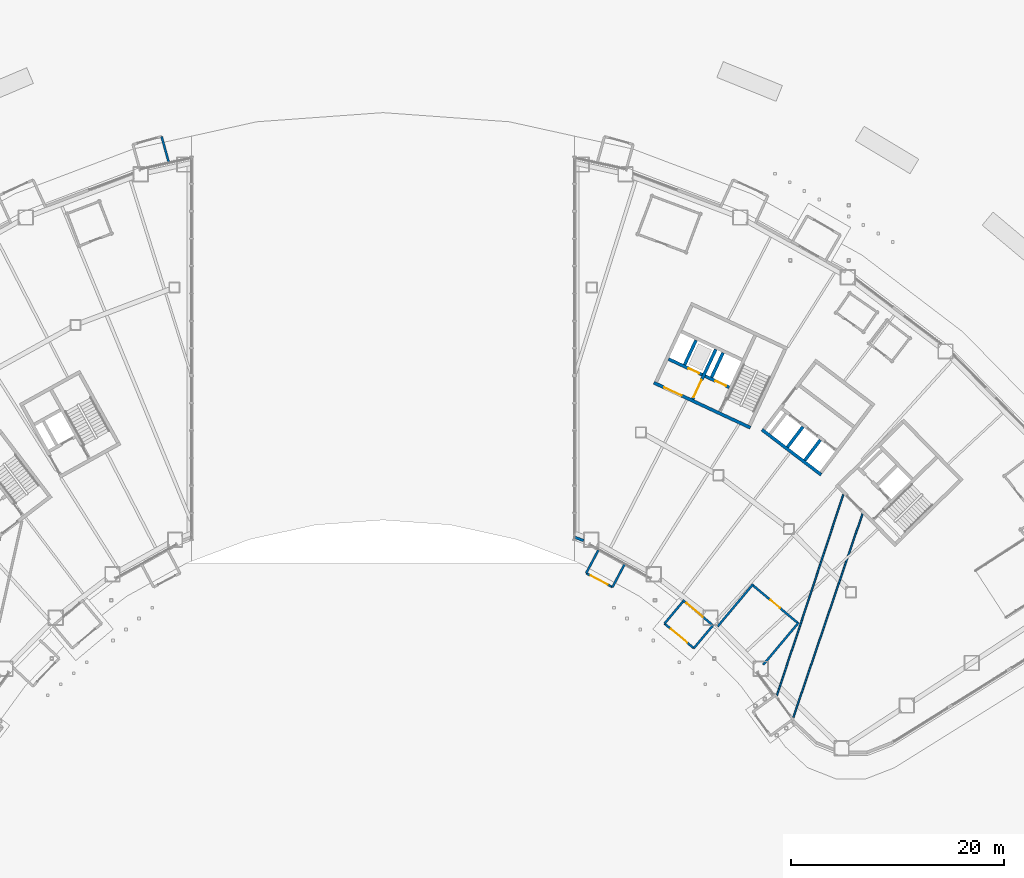
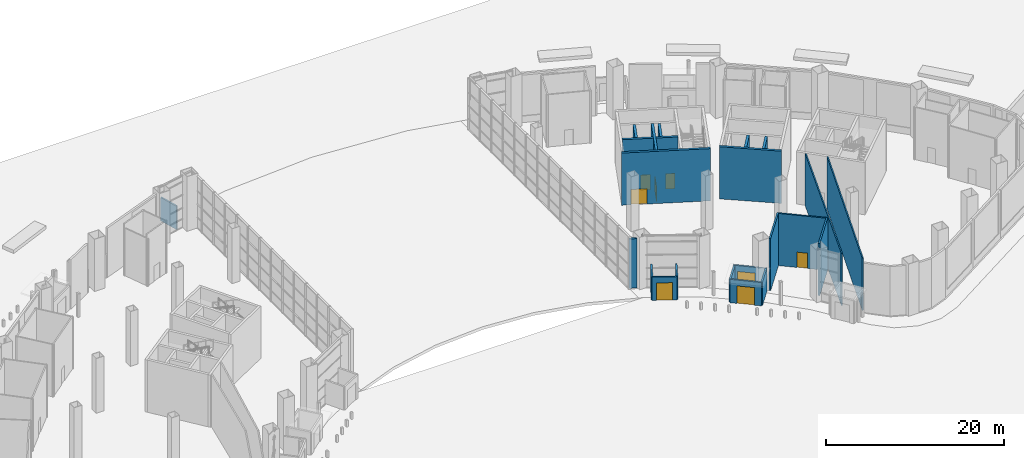
# One storey, part 33 of 45: 23 walls, 8 doors, 8 openings.
"""IFC4 building model written with IfcOpenShell, lengths in metres."""

from ifc_helpers import new_model, si_unit, direction, frame, frame_2d, origin, place, context, subcontext, project, spatial, rectangle, extrude, material, layer, layer_set, type_object, element, fill, save


model = new_model("IFC4")

# Units and contexts
model_context = context("Model", 3, precision=1e-05, world=origin(), true_north=direction((0.0, 1.0)))
body_context = subcontext(model_context, "Body", "Model", "MODEL_VIEW")
ifc_project = project(units=[si_unit("LENGTHUNIT", "METRE"), si_unit("AREAUNIT", "SQUARE_METRE"), si_unit("VOLUMEUNIT", "CUBIC_METRE"), si_unit("PLANEANGLEUNIT", "RADIAN"), si_unit("MASSUNIT", "GRAM", prefix="KILO")], contexts=[model_context])

# Site, building, storey
site_placement = place(None, origin())
site = spatial("IfcSite", under=ifc_project, at=site_placement, CompositionType="ELEMENT")
building_placement = place(site_placement, origin())
building = spatial("IfcBuilding", under=site, at=building_placement, Name="Tuul Gate Civic Tower", CompositionType="ELEMENT")
storey_placement = place(building_placement, origin())
storey = spatial("IfcBuildingStorey", under=building, at=storey_placement, Name="Level 00", CompositionType="ELEMENT", Elevation=0.0)

# Wall, opening, door
ifc_material_1 = material(Name="Concrete C50/60", Category="concrete")
ifc_layer_1 = layer(ifc_material_1, 0.300048828125)
ifc_layer_set_1 = layer_set([ifc_layer_1], Name="Concrete C50/60")
wall_type_1 = type_object("IfcWallType", Name="Core wall C50/60", PredefinedType="SHEAR", material=ifc_layer_set_1)
wall_1_placement = place(storey_placement, frame((34.5283203125, -7.25, 0.0), z_axis=(0.0, 0.0, 1.0), x_axis=(-0.906310338845, 0.422612789327, 0.0)))
wall_1 = element("IfcWall", 1, at=wall_1_placement, inside=storey, type_object=wall_type_1, Name="Core wall", PredefinedType="SHEAR", context=body_context, shape_type="SweptSolid", body=[
    extrude(rectangle(XDim=9.999755859375, YDim=0.300048828125, at=frame_2d((5.0, 0.0))), origin(), (0.0, 0.0, 1.0), 7.14990234375),
])
opening_1_placement = place(wall_1_placement, frame((7.125, 0.0, 0.0)))
opening_1 = element("IfcOpeningElement", 2, at=opening_1_placement, cuts=wall_1, Name="Opening LB-E3-LOBBY-1", PredefinedType="OPENING", context=body_context, shape_type="SweptSolid", body=[
    extrude(rectangle(XDim=1.800048828125, YDim=2.10009765625, at=frame_2d((0.89990234375, 1.050048828125))), frame((0.0, 0.16015625, 0.0), z_axis=(0.0, -1.0, 0.0), x_axis=(1.0, 0.0, 0.0)), (0.0, 0.0, 1.0), 0.320068359375),
])
ifc_material_2 = material(Name="Steel", Category="steel")
door_type_1 = type_object("IfcDoorType", Name="Lobby door", OperationType="DOUBLE_DOOR_SINGLE_SWING", PredefinedType="DOOR", material=ifc_material_2)
door_1_placement = place(opening_1_placement, origin())
door_1 = element("IfcDoor", 3, at=door_1_placement, inside=storey, type_object=door_type_1, Name="Lobby door E3-LOBBY", OperationType="DOUBLE_DOOR_SINGLE_SWING", OverallHeight=2.10009765625, OverallWidth=1.800048828125, PredefinedType="DOOR", context=body_context, shape_type="SweptSolid", body=[
    extrude(rectangle(XDim=1.800048828125, YDim=2.10009765625, at=frame_2d((0.89990234375, 1.050048828125))), frame((0.0, 0.02490234375, 0.0), z_axis=(0.0, -1.0, 0.0), x_axis=(1.0, 0.0, 0.0)), (0.0, 0.0, 1.0), 0.050048828125),
])
fill(opening_1, door_1)

wall_2_placement = place(storey_placement, frame((32.545654296875, -3.456787109375, 0.0), z_axis=(0.0, 0.0, 1.0), x_axis=(-0.906300357825, 0.42263419337, 0.0)))
wall_2 = element("IfcWall", 4, at=wall_2_placement, inside=storey, type_object=wall_type_1, Name="Core wall", PredefinedType="SHEAR", context=body_context, shape_type="SweptSolid", body=[
    extrude(rectangle(XDim=2.500244140625, YDim=0.300048828125, at=frame_2d((1.25, 0.0))), origin(), (0.0, 0.0, 1.0), 7.14990234375),
])
opening_2_placement = place(wall_2_placement, frame((0.324951171875, 0.0, 0.0)))
opening_2 = element("IfcOpeningElement", 5, at=opening_2_placement, cuts=wall_2, Name="Opening LD-FF-2", PredefinedType="OPENING", context=body_context, shape_type="SweptSolid", body=[
    extrude(rectangle(XDim=1.10009765625, YDim=2.10009765625, at=frame_2d((0.550048828125, 1.050048828125))), frame((0.0, 0.16015625, 0.0), z_axis=(0.0, -1.0, 0.0), x_axis=(1.0, 0.0, 0.0)), (0.0, 0.0, 1.0), 0.320068359375),
])
ifc_material_3 = material(Name="Stainless steel", Category="steel")
door_type_2 = type_object("IfcDoorType", Name="Landing door", OperationType="DOUBLE_DOOR_SLIDING", PredefinedType="DOOR", material=ifc_material_3)
door_2_placement = place(opening_2_placement, origin())
door_2 = element("IfcDoor", 6, at=door_2_placement, inside=storey, type_object=door_type_2, Name="Fire-fighting lift FF-2 landing door", OperationType="DOUBLE_DOOR_SLIDING", OverallHeight=2.10009765625, OverallWidth=1.10009765625, PredefinedType="DOOR", context=body_context, shape_type="SweptSolid", body=[
    extrude(rectangle(XDim=1.10009765625, YDim=2.10009765625, at=frame_2d((0.550048828125, 1.050048828125))), frame((0.0, 0.02490234375, 0.0), z_axis=(0.0, -1.0, 0.0), x_axis=(1.0, 0.0, 0.0)), (0.0, 0.0, 1.0), 0.050048828125),
])
fill(opening_2, door_2)

wall_3_placement = place(storey_placement, frame((30.0078125, -2.2734375, 0.0), z_axis=(0.0, 0.0, 1.0), x_axis=(-0.90630071767, 0.422633421716, 0.0)))
wall_3 = element("IfcWall", 7, at=wall_3_placement, inside=storey, type_object=wall_type_1, Name="Core wall", PredefinedType="SHEAR", context=body_context, shape_type="SweptSolid", body=[
    extrude(rectangle(XDim=3.5, YDim=0.300048828125, at=frame_2d((1.75, 0.0))), origin(), (0.0, 0.0, 1.0), 7.14990234375),
])
opening_3_placement = place(wall_3_placement, frame((0.324951171875, 0.0, 0.0)))
opening_3 = element("IfcOpeningElement", 8, at=opening_3_placement, cuts=wall_3, Name="Opening LD-X1", PredefinedType="OPENING", context=body_context, shape_type="SweptSolid", body=[
    extrude(rectangle(XDim=1.10009765625, YDim=2.10009765625, at=frame_2d((0.550048828125, 1.050048828125))), frame((0.0, 0.16015625, 0.0), z_axis=(0.0, -1.0, 0.0), x_axis=(1.0, 0.0, 0.0)), (0.0, 0.0, 1.0), 0.320068359375),
])
door_3_placement = place(opening_3_placement, origin())
door_3 = element("IfcDoor", 9, at=door_3_placement, inside=storey, type_object=door_type_2, Name="Observation express lift X1 landing door", OperationType="DOUBLE_DOOR_SLIDING", OverallHeight=2.10009765625, OverallWidth=1.10009765625, PredefinedType="DOOR", context=body_context, shape_type="SweptSolid", body=[
    extrude(rectangle(XDim=1.10009765625, YDim=2.10009765625, at=frame_2d((0.550048828125, 1.050048828125))), frame((0.0, 0.02490234375, 0.0), z_axis=(0.0, -1.0, 0.0), x_axis=(1.0, 0.0, 0.0)), (0.0, 0.0, 1.0), 0.050048828125),
])
fill(opening_3, door_3)

# Wall
wall_4_placement = place(storey_placement, frame((30.886962890625, -2.517822265625, 0.0), z_axis=(0.0, 0.0, 1.0), x_axis=(0.422612891016, 0.906310291427, 0.0)))
element("IfcWall", 10, at=wall_4_placement, inside=storey, type_object=wall_type_1, Name="Core wall", PredefinedType="SHEAR", context=body_context, shape_type="SweptSolid", body=[
    extrude(rectangle(XDim=2.550048828125, YDim=0.300048828125, at=frame_2d((1.27490234375, 0.0))), origin(), (0.0, 0.0, 1.0), 7.14990234375),
])

# Wall, opening, door
wall_5_placement = place(storey_placement, frame((29.108642578125, -4.557373046875, 0.0), z_axis=(0.0, 0.0, 1.0), x_axis=(0.422566235356, 0.90633204552, 0.0)))
wall_5 = element("IfcWall", 11, at=wall_5_placement, inside=storey, type_object=wall_type_1, Name="Core wall", PredefinedType="SHEAR", context=body_context, shape_type="SweptSolid", body=[
    extrude(rectangle(XDim=5.150146484375, YDim=0.300048828125, at=frame_2d((2.5751953125, 0.0))), origin(), (0.0, 0.0, 1.0), 7.14990234375),
])
opening_4_placement = place(wall_5_placement, frame((0.175048828125, 0.0, 0.0)))
opening_4 = element("IfcOpeningElement", 12, at=opening_4_placement, cuts=wall_5, Name="Opening LB-E3-FLOBBY-1", PredefinedType="OPENING", context=body_context, shape_type="SweptSolid", body=[
    extrude(rectangle(XDim=1.800048828125, YDim=2.10009765625, at=frame_2d((0.89990234375, 1.050048828125))), frame((0.0, 0.16015625, 0.0), z_axis=(0.0, -1.0, 0.0), x_axis=(1.0, 0.0, 0.0)), (0.0, 0.0, 1.0), 0.320068359375),
])
door_4_placement = place(opening_4_placement, frame((1.800048828125, 0.0, 0.0), z_axis=(0.0, 0.0, 1.0), x_axis=(-1.0, 0.0, 0.0)))
door_4 = element("IfcDoor", 13, at=door_4_placement, inside=storey, type_object=door_type_1, Name="Lobby door E3-FLOBBY", OperationType="DOUBLE_DOOR_SINGLE_SWING", OverallHeight=2.10009765625, OverallWidth=1.800048828125, PredefinedType="DOOR", context=body_context, shape_type="SweptSolid", body=[
    extrude(rectangle(XDim=1.800048828125, YDim=2.10009765625, at=frame_2d((0.900146484375, 1.050048828125))), frame((0.0, 0.02490234375, 0.0), z_axis=(0.0, -1.0, 0.0), x_axis=(1.0, 0.0, 0.0)), (0.0, 0.0, 1.0), 0.050048828125),
])
fill(opening_4, door_4)

# Walls
wall_6_placement = place(storey_placement, frame((28.349365234375, -1.33447265625, 0.0), z_axis=(0.0, 0.0, 1.0), x_axis=(0.422612891016, 0.906310291427, 0.0)))
element("IfcWall", 14, at=wall_6_placement, inside=storey, type_object=wall_type_1, Name="Core wall", PredefinedType="SHEAR", context=body_context, shape_type="SweptSolid", body=[
    extrude(rectangle(XDim=2.550048828125, YDim=0.300048828125, at=frame_2d((1.27490234375, 0.0))), origin(), (0.0, 0.0, 1.0), 7.14990234375),
])
ifc_material_4 = material(Name="Fire-rated glazed steel S355", Category="steel")
ifc_layer_2 = layer(ifc_material_4, 0.199951171875)
ifc_layer_set_2 = layer_set([ifc_layer_2], Name="Fire-rated glazed steel S355")
wall_type_2 = type_object("IfcWallType", Name="Exit lobby wall", PredefinedType="SOLIDWALL", material=ifc_layer_set_2)
wall_7_placement = place(storey_placement, frame((-20.151123046875, 17.715087890625, 0.0), z_axis=(0.0, 0.0, 1.0), x_axis=(-0.267865467382, 0.963456325624, 0.0)))
element("IfcWall", 15, at=wall_7_placement, inside=storey, type_object=wall_type_2, Name="Exit lobby wall", PredefinedType="SOLIDWALL", context=body_context, shape_type="SweptSolid", body=[
    extrude(rectangle(XDim=2.5, YDim=0.199951171875, at=frame_2d((1.25, 0.0))), origin(), (0.0, 0.0, 1.0), 3.199951171875),
])
wall_8_placement = place(storey_placement, frame((20.2626953125, -18.7197265625, 0.0), z_axis=(0.0, 0.0, 1.0), x_axis=(-0.467797975124, -0.883835422729, 0.0)))
element("IfcWall", 16, at=wall_8_placement, inside=storey, type_object=wall_type_2, Name="Exit lobby wall", PredefinedType="SOLIDWALL", context=body_context, shape_type="SweptSolid", body=[
    extrude(rectangle(XDim=2.499755859375, YDim=0.199951171875, at=frame_2d((1.25, 0.0))), origin(), (0.0, 0.0, 1.0), 3.199951171875),
])
wall_9_placement = place(storey_placement, frame((22.7373046875, -20.029296875, 0.0), z_axis=(0.0, 0.0, 1.0), x_axis=(-0.467681307417, -0.883897162962, 0.0)))
element("IfcWall", 17, at=wall_9_placement, inside=storey, type_object=wall_type_2, Name="Exit lobby wall", PredefinedType="SOLIDWALL", context=body_context, shape_type="SweptSolid", body=[
    extrude(rectangle(XDim=2.5, YDim=0.199951171875, at=frame_2d((1.25, 0.0))), origin(), (0.0, 0.0, 1.0), 3.199951171875),
])

# Wall, opening, door
wall_10_placement = place(storey_placement, frame((19.09326171875, -20.92919921875, 0.0), z_axis=(0.0, 0.0, 1.0), x_axis=(0.88384729284, -0.467775547607, 0.0)))
wall_10 = element("IfcWall", 18, at=wall_10_placement, inside=storey, type_object=wall_type_2, Name="Exit lobby wall", PredefinedType="SOLIDWALL", context=body_context, shape_type="SweptSolid", body=[
    extrude(rectangle(XDim=2.800048828125, YDim=0.199951171875, at=frame_2d((1.39990234375, 0.0))), origin(), (0.0, 0.0, 1.0), 3.199951171875),
])
opening_5_placement = place(wall_10_placement, frame((0.5, 0.0, 0.0)))
opening_5 = element("IfcOpeningElement", 19, at=opening_5_placement, cuts=wall_10, Name="Opening XD", PredefinedType="OPENING", context=body_context, shape_type="SweptSolid", body=[
    extrude(rectangle(XDim=1.800048828125, YDim=2.39990234375, at=frame_2d((0.89990234375, 1.199951171875))), frame((0.0, 0.10986328125, 0.0), z_axis=(0.0, -1.0, 0.0), x_axis=(1.0, 0.0, 0.0)), (0.0, 0.0, 1.0), 0.219970703125),
])
ifc_material_5 = material(Name="Glazed aluminium", Category="aluminium")
door_type_3 = type_object("IfcDoorType", Name="Exit door", OperationType="DOUBLE_DOOR_SINGLE_SWING", PredefinedType="DOOR", material=ifc_material_5)
door_5_placement = place(opening_5_placement, frame((1.800048828125, 0.0, 0.0), z_axis=(0.0, 0.0, 1.0), x_axis=(-1.0, 0.0, 0.0)))
door_5 = element("IfcDoor", 20, at=door_5_placement, inside=storey, type_object=door_type_3, Name="Exit door", OperationType="DOUBLE_DOOR_SINGLE_SWING", OverallHeight=2.39990234375, OverallWidth=1.800048828125, PredefinedType="DOOR", context=body_context, shape_type="SweptSolid", body=[
    extrude(rectangle(XDim=1.800048828125, YDim=2.39990234375, at=frame_2d((0.900146484375, 1.199951171875))), frame((0.0, 0.02490234375, 0.0), z_axis=(0.0, -1.0, 0.0), x_axis=(1.0, 0.0, 0.0)), (0.0, 0.0, 1.0), 0.050048828125),
])
fill(opening_5, door_5)

# Wall
ifc_material_6 = material(Name="Precast concrete C40/50", Category="concrete")
ifc_layer_3 = layer(ifc_material_6, 0.25)
ifc_layer_set_3 = layer_set([ifc_layer_3], Name="Precast concrete C40/50")
wall_type_3 = type_object("IfcWallType", Name="External wall", PredefinedType="STANDARD", material=ifc_layer_set_3)
wall_11_placement = place(storey_placement, frame((18.044189453125, -17.55859375, 0.0), z_axis=(0.0, 0.0, 1.0), x_axis=(0.935298808459, -0.353858925132, 0.0)))
element("IfcWall", 21, at=wall_11_placement, inside=storey, type_object=wall_type_3, Name="External wall", PredefinedType="STANDARD", context=body_context, shape_type="SweptSolid", body=[
    extrude(rectangle(XDim=0.8701171875, YDim=0.25, at=frame_2d((0.43505859375, 0.0))), origin(), (0.0, 0.0, 1.0), 6.75),
])

# Wall, opening, door
ifc_material_7 = material(Name="Concrete block", Category="concrete")
ifc_layer_4 = layer(ifc_material_7, 0.199951171875)
ifc_layer_set_4 = layer_set([ifc_layer_4], Name="Concrete block")
wall_type_4 = type_object("IfcWallType", Name="Fire command room wall", PredefinedType="PARTITIONING", material=ifc_layer_set_4)
wall_12_placement = place(storey_placement, frame((34.652587890625, -21.969482421875, 0.0), z_axis=(0.0, 0.0, 1.0), x_axis=(0.76603976281, -0.642793187421, 0.0)))
wall_12 = element("IfcWall", 22, at=wall_12_placement, inside=storey, type_object=wall_type_4, Name="Fire command room wall", PredefinedType="PARTITIONING", context=body_context, shape_type="SweptSolid", body=[
    extrude(rectangle(XDim=5.800048828125, YDim=0.199951171875, at=frame_2d((2.89990234375, 0.0))), origin(), (0.0, 0.0, 1.0), 7.14990234375),
])
opening_6_placement = place(wall_12_placement, frame((2.300048828125, 0.0, 0.0)))
opening_6 = element("IfcOpeningElement", 23, at=opening_6_placement, cuts=wall_12, Name="Opening FD", PredefinedType="OPENING", context=body_context, shape_type="SweptSolid", body=[
    extrude(rectangle(XDim=1.199951171875, YDim=2.10009765625, at=frame_2d((0.60009765625, 1.050048828125))), frame((0.0, 0.10986328125, 0.0), z_axis=(0.0, -1.0, 0.0), x_axis=(1.0, 0.0, 0.0)), (0.0, 0.0, 1.0), 0.219970703125),
])
ifc_material_8 = material(Name="Steel", Category="steel")
door_type_4 = type_object("IfcDoorType", Name="Fire command room door", OperationType="NOTDEFINED", PredefinedType="DOOR", material=ifc_material_8)
door_6_placement = place(opening_6_placement, frame((1.199951171875, 0.0, 0.0), z_axis=(0.0, 0.0, 1.0), x_axis=(-1.0, 0.0, 0.0)))
door_6 = element("IfcDoor", 24, at=door_6_placement, inside=storey, type_object=door_type_4, Name="Fire command room door", OperationType="SINGLE_SWING_LEFT", OverallHeight=2.10009765625, OverallWidth=1.199951171875, PredefinedType="DOOR", context=body_context, shape_type="SweptSolid", body=[
    extrude(rectangle(XDim=1.199951171875, YDim=2.10009765625, at=frame_2d((0.599853515625, 1.050048828125))), frame((0.0, 0.02490234375, 0.0), z_axis=(0.0, -1.0, 0.0), x_axis=(1.0, 0.0, 0.0)), (0.0, 0.0, 1.0), 0.050048828125),
])
fill(opening_6, door_6)

# Walls
for number, where, z_axis, x_axis, name in (
    (25, (31.451171875, -25.940673828125, 0.0), (0.0, 0.0, 1.0), (0.642794509039, 0.766038653822, 0.0), "Fire command room wall"),
    (26, (35.740966796875, -29.540283203125, 0.0), (0.0, 0.0, 1.0), (0.642794509039, 0.766038653822, 0.0), "Fire command room wall"),
):
    element("IfcWall", number, at=place(storey_placement, frame(where, z_axis=z_axis, x_axis=x_axis)), inside=storey, type_object=wall_type_4, Name=name, PredefinedType="PARTITIONING", context=body_context, shape_type="SweptSolid", body=[
        extrude(rectangle(XDim=5.199951171875, YDim=0.199951171875, at=frame_2d((2.60009765625, 0.0))), origin(), (0.0, 0.0, 1.0), 7.14990234375),
    ])
ifc_material_9 = material(Name="Concrete block", Category="concrete")
ifc_layer_5 = layer(ifc_material_9, 0.14990234375)
ifc_layer_set_5 = layer_set([ifc_layer_5], Name="Concrete block")
wall_type_5 = type_object("IfcWallType", Name="Ground floor room wall", PredefinedType="PARTITIONING", material=ifc_layer_set_5)
wall_13_placement = place(storey_placement, frame((38.56591796875, -34.47509765625, 0.0), z_axis=(0.0, 0.0, 1.0), x_axis=(0.322118567031, 0.946699333883, 0.0)))
element("IfcWall", 27, at=wall_13_placement, inside=storey, type_object=wall_type_5, Name="Room wall", PredefinedType="PARTITIONING", context=body_context, shape_type="SweptSolid", body=[
    extrude(rectangle(XDim=20.2578125, YDim=0.14990234375, at=frame_2d((10.12890625, 0.0))), origin(), (0.0, 0.0, 1.0), 7.14990234375),
])
wall_14_placement = place(storey_placement, frame((43.269287109375, -13.535400390625, 0.0), z_axis=(0.0, 0.0, 1.0), x_axis=(-0.313661787672, -0.949534771851, 0.0)))
element("IfcWall", 28, at=wall_14_placement, inside=storey, type_object=wall_type_5, Name="Room wall", PredefinedType="PARTITIONING", context=body_context, shape_type="SweptSolid", body=[
    extrude(rectangle(XDim=19.9609375, YDim=0.14990234375, at=frame_2d((9.98046875, 0.0))), origin(), (0.0, 0.0, 1.0), 7.14990234375),
])
ifc_material_10 = material(Name="Concrete C40/50", Category="concrete")
ifc_layer_6 = layer(ifc_material_10, 0.300048828125)
ifc_layer_set_6 = layer_set([ifc_layer_6], Name="Concrete C40/50")
wall_type_6 = type_object("IfcWallType", Name="Lift shaft wall C40/50", PredefinedType="STANDARD", material=ifc_layer_set_6)
wall_15_placement = place(storey_placement, frame((41.19189453125, -11.677734375, 0.0), z_axis=(0.0, 0.0, 1.0), x_axis=(-0.795563000331, 0.605870871147, 0.0)))
element("IfcWall", 29, at=wall_15_placement, inside=storey, type_object=wall_type_6, Name="Shaft wall", PredefinedType="STANDARD", context=body_context, shape_type="SweptSolid", body=[
    extrude(rectangle(XDim=7.000244140625, YDim=0.300048828125, at=frame_2d((3.5, 0.0))), origin(), (0.0, 0.0, 1.0), 7.14990234375),
])
wall_16_placement = place(storey_placement, frame((39.65185546875, -10.31640625, 0.0), z_axis=(0.0, 0.0, 1.0), x_axis=(0.605745892068, 0.79565816419, 0.0)))
element("IfcWall", 30, at=wall_16_placement, inside=storey, type_object=wall_type_6, Name="Shaft wall", PredefinedType="STANDARD", context=body_context, shape_type="SweptSolid", body=[
    extrude(rectangle(XDim=2.400146484375, YDim=0.300048828125, at=frame_2d((1.2001953125, 0.0))), origin(), (0.0, 0.0, 1.0), 7.14990234375),
])
wall_17_placement = place(storey_placement, frame((38.02099609375, -9.07421875, 0.0), z_axis=(0.0, 0.0, 1.0), x_axis=(0.605730519254, 0.795669867498, 0.0)))
element("IfcWall", 31, at=wall_17_placement, inside=storey, type_object=wall_type_6, Name="Shaft wall", PredefinedType="STANDARD", context=body_context, shape_type="SweptSolid", body=[
    extrude(rectangle(XDim=2.399658203125, YDim=0.300048828125, at=frame_2d((1.19970703125, 0.0))), origin(), (0.0, 0.0, 1.0), 7.14990234375),
])
ifc_material_11 = material(Name="Glazed aluminium", Category="aluminium")
ifc_layer_7 = layer(ifc_material_11, 0.199951171875)
ifc_layer_set_7 = layer_set([ifc_layer_7], Name="Glazed aluminium")
wall_type_7 = type_object("IfcWallType", Name="Vestibule wall", PredefinedType="SOLIDWALL", material=ifc_layer_set_7)
wall_18_placement = place(storey_placement, frame((28.194091796875, -23.599365234375, 0.0), z_axis=(0.0, 0.0, 1.0), x_axis=(-0.642795458625, -0.766037857009, 0.0)))
element("IfcWall", 32, at=wall_18_placement, inside=storey, type_object=wall_type_7, Name="Vestibule wall", PredefinedType="SOLIDWALL", context=body_context, shape_type="SweptSolid", body=[
    extrude(rectangle(XDim=2.7001953125, YDim=0.199951171875, at=frame_2d((1.35009765625, 0.0))), origin(), (0.0, 0.0, 1.0), 3.199951171875),
])
wall_19_placement = place(storey_placement, frame((31.034423828125, -25.81494140625, 0.0), z_axis=(0.0, 0.0, 1.0), x_axis=(-0.642787142339, -0.76604483527, 0.0)))
element("IfcWall", 33, at=wall_19_placement, inside=storey, type_object=wall_type_7, Name="Vestibule wall", PredefinedType="SOLIDWALL", context=body_context, shape_type="SweptSolid", body=[
    extrude(rectangle(XDim=2.828369140625, YDim=0.199951171875, at=frame_2d((1.4140625, 0.0))), origin(), (0.0, 0.0, 1.0), 3.199951171875),
])

# Wall, opening, door
wall_20_placement = place(storey_placement, frame((26.45849609375, -25.667724609375, 0.0), z_axis=(0.0, 0.0, 1.0), x_axis=(0.766060118845, -0.642768927621, 0.0)))
wall_20 = element("IfcWall", 34, at=wall_20_placement, inside=storey, type_object=wall_type_7, Name="Vestibule wall", PredefinedType="SOLIDWALL", context=body_context, shape_type="SweptSolid", body=[
    extrude(rectangle(XDim=3.60009765625, YDim=0.199951171875, at=frame_2d((1.800048828125, 0.0))), origin(), (0.0, 0.0, 1.0), 3.199951171875),
])
opening_7_placement = place(wall_20_placement, frame((0.800048828125, 0.0, 0.0)))
opening_7 = element("IfcOpeningElement", 35, at=opening_7_placement, cuts=wall_20, Name="Opening ED", PredefinedType="OPENING", context=body_context, shape_type="SweptSolid", body=[
    extrude(rectangle(XDim=2.0, YDim=2.39990234375, at=frame_2d((1.0, 1.199951171875))), frame((0.0, 0.10986328125, 0.0), z_axis=(0.0, -1.0, 0.0), x_axis=(1.0, 0.0, 0.0)), (0.0, 0.0, 1.0), 0.219970703125),
])
ifc_material_12 = material(Name="Glazed aluminium", Category="aluminium")
door_type_5 = type_object("IfcDoorType", Name="Entrance door", OperationType="DOUBLE_DOOR_SINGLE_SWING", PredefinedType="DOOR", material=ifc_material_12)
door_7_placement = place(opening_7_placement, frame((2.0, 0.0, 0.0), z_axis=(0.0, 0.0, 1.0), x_axis=(-1.0, 0.0, 0.0)))
door_7 = element("IfcDoor", 36, at=door_7_placement, inside=storey, type_object=door_type_5, Name="Entrance door", OperationType="DOUBLE_DOOR_SINGLE_SWING", OverallHeight=2.39990234375, OverallWidth=2.0, PredefinedType="DOOR", context=body_context, shape_type="SweptSolid", body=[
    extrude(rectangle(XDim=2.0, YDim=2.39990234375, at=frame_2d((1.0, 1.199951171875))), frame((0.0, 0.02490234375, 0.0), z_axis=(0.0, -1.0, 0.0), x_axis=(1.0, 0.0, 0.0)), (0.0, 0.0, 1.0), 0.050048828125),
])
fill(opening_7, door_7)

wall_21_placement = place(storey_placement, frame((28.181640625, -23.45849609375, 0.0), z_axis=(0.0, 0.0, 1.0), x_axis=(0.766057856051, -0.642771624438, 0.0)))
wall_21 = element("IfcWall", 37, at=wall_21_placement, inside=storey, type_object=wall_type_7, Name="Vestibule wall", PredefinedType="SOLIDWALL", context=body_context, shape_type="SweptSolid", body=[
    extrude(rectangle(XDim=3.800048828125, YDim=0.199951171875, at=frame_2d((1.89990234375, 0.0))), origin(), (0.0, 0.0, 1.0), 3.199951171875),
])
opening_8_placement = place(wall_21_placement, frame((0.449951171875, 0.0, 0.0)))
opening_8 = element("IfcOpeningElement", 38, at=opening_8_placement, cuts=wall_21, Name="Opening ED", PredefinedType="OPENING", context=body_context, shape_type="SweptSolid", body=[
    extrude(rectangle(XDim=2.0, YDim=2.39990234375, at=frame_2d((1.0, 1.199951171875))), frame((0.0, 0.10986328125, 0.0), z_axis=(0.0, -1.0, 0.0), x_axis=(1.0, 0.0, 0.0)), (0.0, 0.0, 1.0), 0.219970703125),
])
door_8_placement = place(opening_8_placement, frame((2.0, 0.0, 0.0), z_axis=(0.0, 0.0, 1.0), x_axis=(-1.0, 0.0, 0.0)))
door_8 = element("IfcDoor", 39, at=door_8_placement, inside=storey, type_object=door_type_5, Name="Entrance inner door", OperationType="DOUBLE_DOOR_SINGLE_SWING", OverallHeight=2.39990234375, OverallWidth=2.0, PredefinedType="DOOR", context=body_context, shape_type="SweptSolid", body=[
    extrude(rectangle(XDim=2.0, YDim=2.39990234375, at=frame_2d((1.0, 1.199951171875))), frame((0.0, 0.02490234375, 0.0), z_axis=(0.0, -1.0, 0.0), x_axis=(1.0, 0.0, 0.0)), (0.0, 0.0, 1.0), 0.050048828125),
])
fill(opening_8, door_8)

save(model, "model.ifc")
